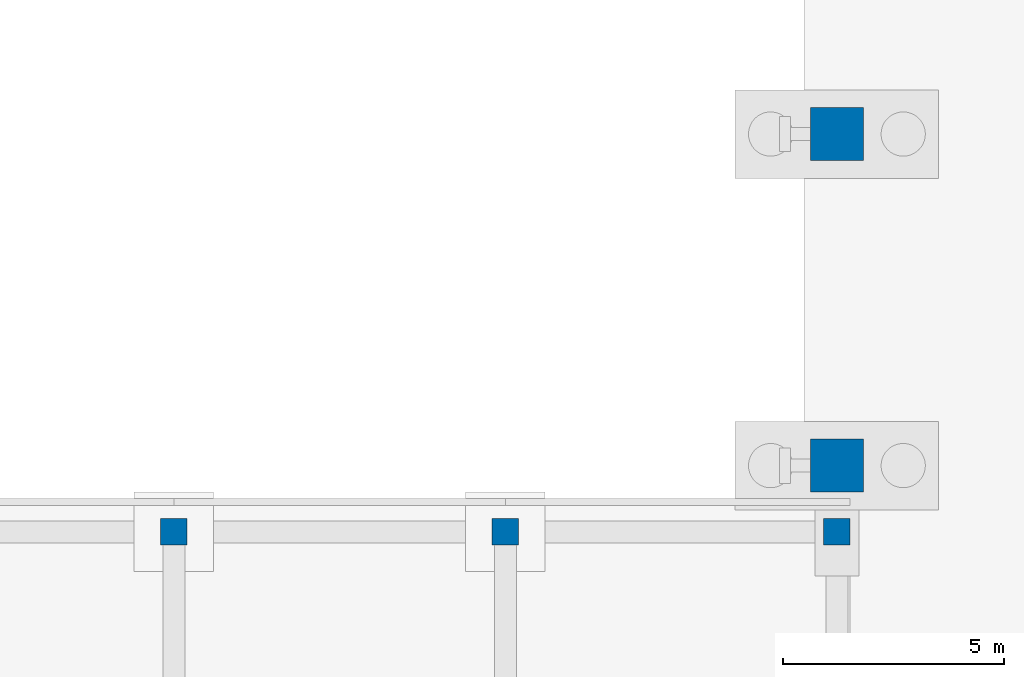
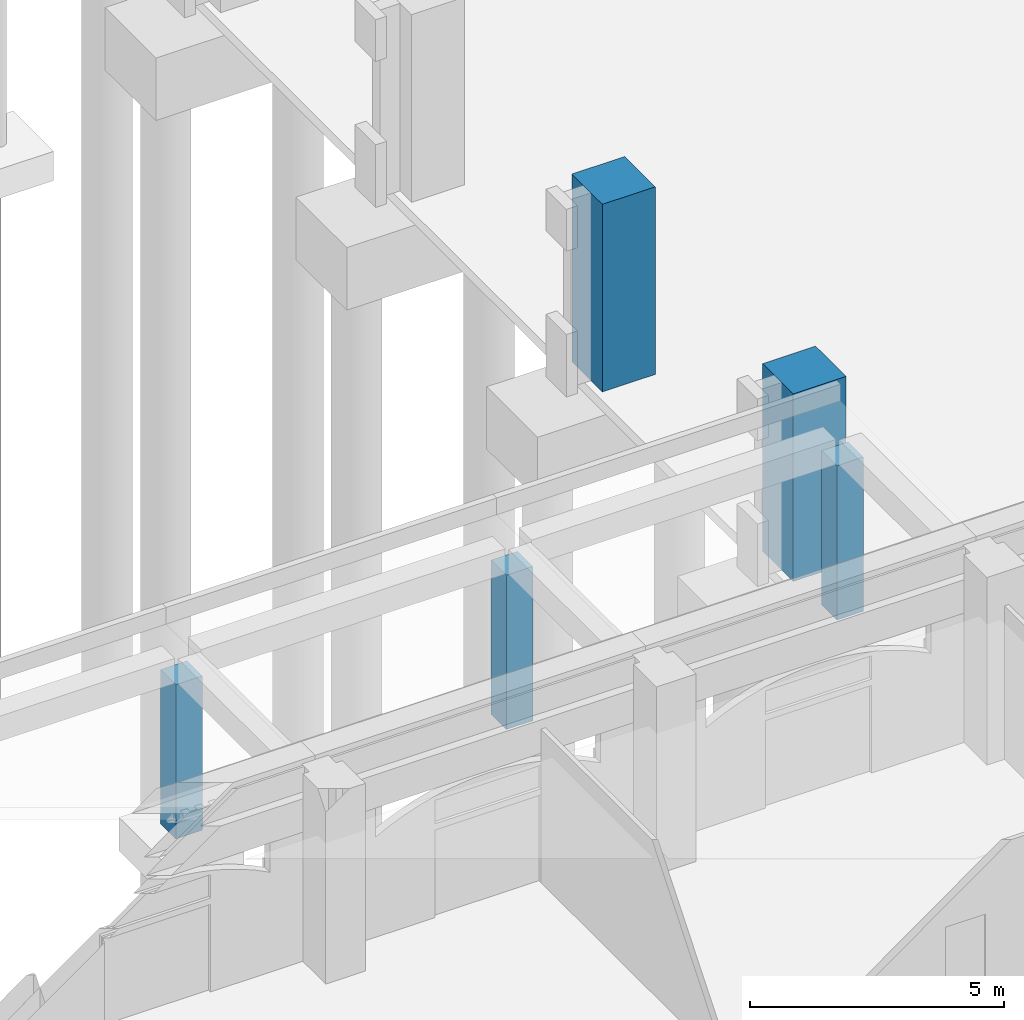
# One storey, part 8 of 99: 5 columns.
"""IFC4 building model written with IfcOpenShell, lengths in metres."""

from ifc_helpers import new_model, si_unit, direction, frame, origin, origin_2d, place, context, subcontext, project, spatial, rectangle, extrude, material, material_profile, profile_set, type_object, element, save


model = new_model("IFC4")

# Units and contexts
model_context = context("Model", 3, precision=1e-05, world=origin(), true_north=direction((0.0, 1.0)))
body_context = subcontext(model_context, "Body", "Model", "MODEL_VIEW")
ifc_project = project(units=[si_unit("LENGTHUNIT", "METRE"), si_unit("AREAUNIT", "SQUARE_METRE"), si_unit("VOLUMEUNIT", "CUBIC_METRE"), si_unit("PLANEANGLEUNIT", "RADIAN"), si_unit("MASSUNIT", "GRAM", prefix="KILO")], contexts=[model_context])

# Site, building, storey
site_placement = place(None, origin())
site = spatial("IfcSite", under=ifc_project, at=site_placement, CompositionType="ELEMENT")
building_placement = place(site_placement, origin())
building = spatial("IfcBuilding", under=site, at=building_placement, Name="Cour d'Honneur Mobility Palace", CompositionType="ELEMENT")
storey_placement = place(building_placement, origin())
storey = spatial("IfcBuildingStorey", under=building, at=storey_placement, Name="L00", CompositionType="ELEMENT", Elevation=0.0)

# Columns
ifc_material_1 = material(Name="Concrete C50", Category="concrete")
ifc_material_profile_1 = material_profile(ifc_material_1, rectangle(XDim=0.60009765625, YDim=0.60009765625, at=origin_2d()), Name="Arcade column 600x600")
ifc_profile_set_1 = profile_set([ifc_material_profile_1], Name="Concrete C50")
column_type_1 = type_object("IfcColumnType", Name="Arcade column 600x600", PredefinedType="COLUMN", material=ifc_profile_set_1)
for number, where, z_axis, x_axis, name in (
    (1, (47.39990234375, 68.39990234375, -0.300048828125), (0.0, 0.0, 1.0), (1.0, 0.0, 0.0), "Arcade column AC-W5"),
    (2, (54.89990234375, 68.39990234375, -0.300048828125), (0.0, 0.0, 1.0), (1.0, 0.0, 0.0), "Arcade column AC-W6"),
    (3, (62.39990234375, 68.39990234375, -0.300048828125), (0.0, 0.0, 1.0), (1.0, 0.0, 0.0), "Arcade column AC-W7"),
):
    element("IfcColumn", number, at=place(storey_placement, frame(where, z_axis=z_axis, x_axis=x_axis)), inside=storey, type_object=column_type_1, Name=name, PredefinedType="COLUMN", context=body_context, shape_type="SweptSolid", body=[
        extrude(rectangle(XDim=0.60009765625, YDim=0.60009765625, at=origin_2d()), origin(), (0.0, 0.0, 1.0), 3.699951171875),
    ])
ifc_material_2 = material(Name="Concrete C50", Category="concrete")
ifc_material_profile_2 = material_profile(ifc_material_2, rectangle(XDim=1.199951171875, YDim=1.199951171875, at=origin_2d()), Name="Hall pier 1200x1200")
ifc_profile_set_2 = profile_set([ifc_material_profile_2], Name="Concrete C50")
column_type_2 = type_object("IfcColumnType", Name="Hall pier 1200x1200", PredefinedType="COLUMN", material=ifc_profile_set_2)
for number, where, z_axis, x_axis, name in (
    (4, (62.39990234375, 69.89990234375, 0.0), (0.0, 0.0, 1.0), (1.0, 0.0, 0.0), "Hall pier HP-W2"),
    (5, (62.39990234375, 77.39990234375, 0.0), (0.0, 0.0, 1.0), (1.0, 0.0, 0.0), "Hall pier HP-W3"),
):
    element("IfcColumn", number, at=place(storey_placement, frame(where, z_axis=z_axis, x_axis=x_axis)), inside=storey, type_object=column_type_2, Name=name, PredefinedType="COLUMN", context=body_context, shape_type="SweptSolid", body=[
        extrude(rectangle(XDim=1.199951171875, YDim=1.199951171875, at=origin_2d()), origin(), (0.0, 0.0, 1.0), 4.5),
    ])

save(model, "model.ifc")
